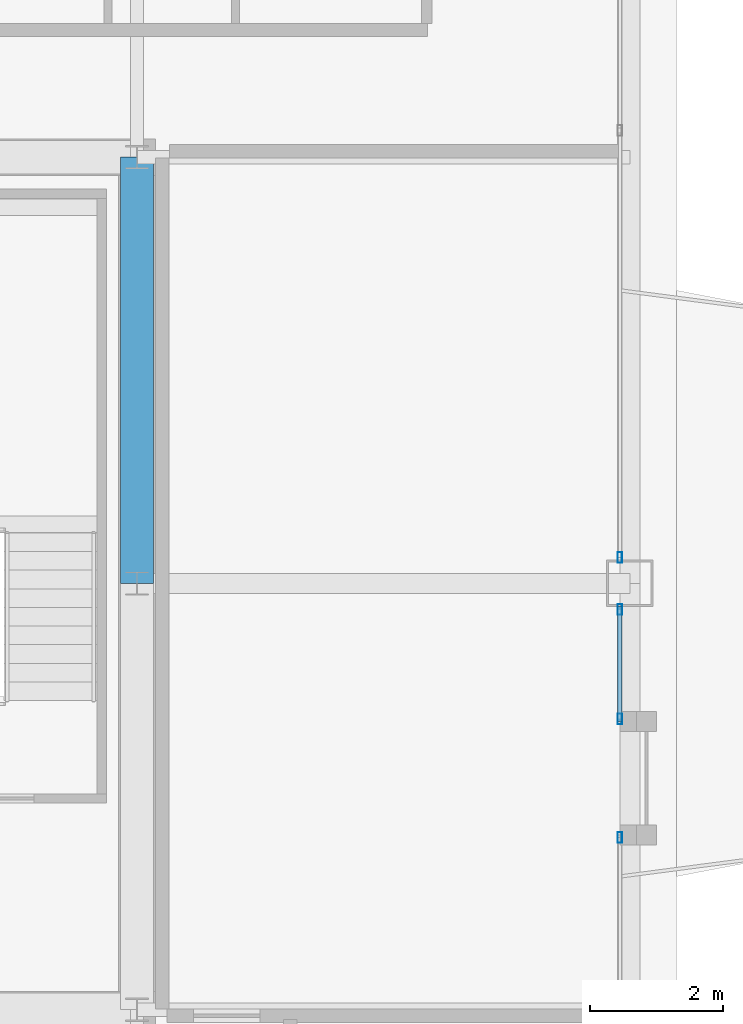
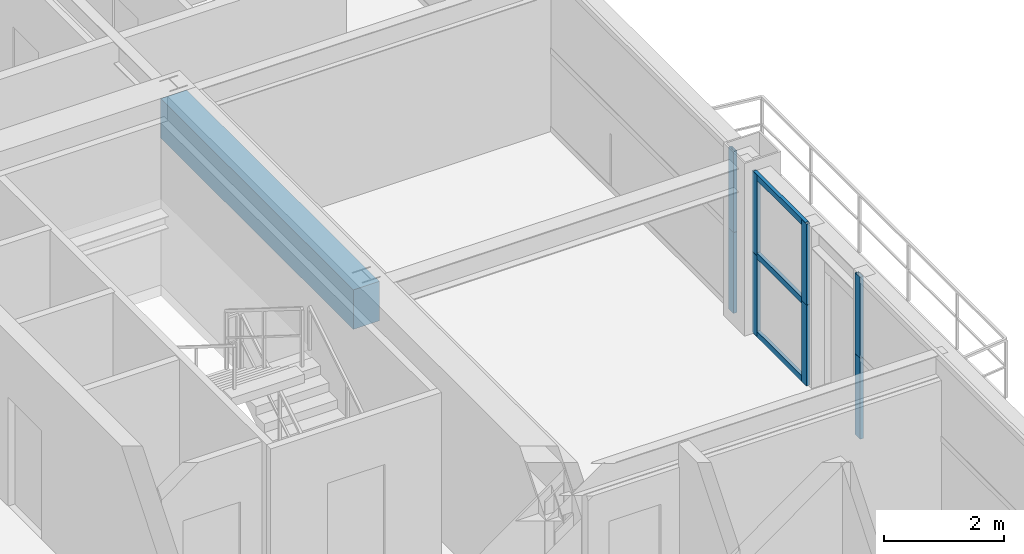
# One storey, part 19 of 37: 11 members, 1 beam, 3 elements without a shape of their own.
"""IFC4 building model written with IfcOpenShell, lengths in metres."""

from ifc_helpers import new_model, si_unit, direction, frame, origin, origin_2d, place, context, subcontext, project, spatial, rectangle, hollow_rectangle, extrude, source, transform, mapped, material, layer, layer_set, material_profile, profile_set, type_object, element, aggregate, save


model = new_model("IFC4")

# Units and contexts
model_context = context("Model", 3, precision=1e-05, world=origin(), true_north=direction((0.0, 1.0)))
body_context = subcontext(model_context, "Body", "Model", "MODEL_VIEW")
ifc_project = project(units=[si_unit("LENGTHUNIT", "METRE"), si_unit("AREAUNIT", "SQUARE_METRE"), si_unit("VOLUMEUNIT", "CUBIC_METRE"), si_unit("PLANEANGLEUNIT", "RADIAN"), si_unit("MASSUNIT", "GRAM", prefix="KILO"), si_unit("THERMODYNAMICTEMPERATUREUNIT", "KELVIN"), si_unit("POWERUNIT", "WATT")], contexts=[model_context])

# Site, building, storey
site_placement = place(None, origin())
site = spatial("IfcSite", under=ifc_project, at=site_placement, CompositionType="ELEMENT")
building_placement = place(site_placement, origin())
building = spatial("IfcBuilding", under=site, at=building_placement, Name="Yuzanri Waterfront Tower", CompositionType="ELEMENT")
storey_placement = place(building_placement, frame((0.0, 0.0, 278.60009765625)))
storey = spatial("IfcBuildingStorey", under=building, at=storey_placement, Name="L74", CompositionType="ELEMENT", Elevation=278.60009765625)

# Beam
ifc_material_1 = material(Name="Concrete C50", Category="concrete")
ifc_material_profile_1 = material_profile(ifc_material_1, rectangle(XDim=0.5, YDim=0.800048828125, at=origin_2d()), Name="RC 500x800")
ifc_profile_set_1 = profile_set([ifc_material_profile_1], Name="Concrete C50")
beam_type = type_object("IfcBeamType", Name="Core Coupling Lintel Concrete C50 500x800", PredefinedType="LINTEL", material=ifc_profile_set_1)
shared_shape_1 = source(origin(), body_context, "Body", "SweptSolid", [
    extrude(rectangle(XDim=0.5, YDim=0.800048828125, at=origin_2d()), origin(), (0.0, 0.0, 1.0), 6.39990234375),
])
beam_placement = place(storey_placement, frame((50.199951171875, 25.800048828125, 2.8798828125), z_axis=(0.0, 1.0, 0.0), x_axis=(-1.0, 0.0, 0.0)))
element("IfcBeam", 1, at=beam_placement, inside=storey, type_object=beam_type, Name="L74 Core Tie Beam CE2", PredefinedType="LINTEL", context=body_context, shape_type="MappedRepresentation", body=[
    mapped(shared_shape_1, transform((0.0, 0.0, 0.0), scale=1.0)),
])

# Curtain wall, members
ifc_material_2 = material(Name="Anodized Architectural Bronze", Category="metal")
ifc_layer = layer(ifc_material_2, 0.159912109375)
ifc_layer_set = layer_set([ifc_layer], Name="Anodized Architectural Bronze")
curtain_wall_type = type_object("IfcCurtainWallType", Name="Anodized Bronze Mid-Rise Residential Acoustic Unitized Curtain Wall 7200", PredefinedType="NOTDEFINED", material=ifc_layer_set)
curtain_wall_1_placement = place(storey_placement, origin())
curtain_wall_1 = element("IfcCurtainWall", 2, at=curtain_wall_1_placement, inside=storey, type_object=curtain_wall_type, Name="L74 Curtain Wall CW-L74-EL1", PredefinedType="NOTDEFINED")
ifc_material_3 = material(Name="Anodized Architectural Bronze", Category="metal")
ifc_material_profile_2 = material_profile(ifc_material_3, hollow_rectangle(XDim=0.06494140625, YDim=0.159912109375, WallThickness=0.00341796875, at=origin_2d()), Name="CWM 65x160")
ifc_profile_set_2 = profile_set([ifc_material_profile_2], Name="Anodized Architectural Bronze")
member_type_1 = type_object("IfcMemberType", Name="Anodized Bronze Upper-Zone Curtain-Wall Mullion 65x160", PredefinedType="MULLION", material=ifc_profile_set_2)
shared_shape_2 = source(origin(), body_context, "Body", "SweptSolid", [
    extrude(hollow_rectangle(XDim=0.06494140625, YDim=0.159912109375, WallThickness=0.00341796875, at=origin_2d()), origin(), (0.0, 0.0, 1.0), 1.637939453125),
])
member_1_placement = place(storey_placement, frame((57.449951171875, 21.985107421875, 0.0), z_axis=(0.0, 0.0, 1.0), x_axis=(1.0, 0.0, 0.0)))
member_1 = element("IfcMember", 3, at=member_1_placement, type_object=member_type_1, Name="CW-L74-EL1 Lower Mullion 01", PredefinedType="MULLION", context=body_context, shape_type="MappedRepresentation", body=[
    mapped(shared_shape_2, transform((0.0, 0.0, 0.0), scale=1.0)),
])
member_2_placement = place(storey_placement, frame((57.449951171875, 21.985107421875, 1.641845703125), z_axis=(0.0, 0.0, 1.0), x_axis=(1.0, 0.0, 0.0)))
member_2 = element("IfcMember", 4, at=member_2_placement, type_object=member_type_1, Name="CW-L74-EL1 Upper Mullion 01", PredefinedType="MULLION", context=body_context, shape_type="MappedRepresentation", body=[
    mapped(shared_shape_2, transform((0.0, 0.0, 0.0), scale=1.0)),
])
aggregate(curtain_wall_1, [member_1, member_2])

curtain_wall_2_placement = place(storey_placement, origin())
curtain_wall_2 = element("IfcCurtainWall", 5, at=curtain_wall_2_placement, inside=storey, type_object=curtain_wall_type, Name="L74 Curtain Wall CW-L74-EL2", PredefinedType="NOTDEFINED")
member_3_placement = place(storey_placement, frame((57.449951171875, 23.764892578125, 0.0), z_axis=(0.0, 0.0, 1.0), x_axis=(1.0, 0.0, 0.0)))
member_3 = element("IfcMember", 6, at=member_3_placement, type_object=member_type_1, Name="CW-L74-EL2 Lower Mullion 00", PredefinedType="MULLION", context=body_context, shape_type="MappedRepresentation", body=[
    mapped(shared_shape_2, transform((0.0, 0.0, 0.0), scale=1.0)),
])
member_4_placement = place(storey_placement, frame((57.449951171875, 23.764892578125, 1.641845703125), z_axis=(0.0, 0.0, 1.0), x_axis=(1.0, 0.0, 0.0)))
member_4 = element("IfcMember", 7, at=member_4_placement, type_object=member_type_1, Name="CW-L74-EL2 Upper Mullion 00", PredefinedType="MULLION", context=body_context, shape_type="MappedRepresentation", body=[
    mapped(shared_shape_2, transform((0.0, 0.0, 0.0), scale=1.0)),
])
member_5_placement = place(storey_placement, frame((57.449951171875, 25.409912109375, 0.0), z_axis=(0.0, 0.0, 1.0), x_axis=(1.0, 0.0, 0.0)))
member_5 = element("IfcMember", 8, at=member_5_placement, type_object=member_type_1, Name="CW-L74-EL2 Lower Mullion 01", PredefinedType="MULLION", context=body_context, shape_type="MappedRepresentation", body=[
    mapped(shared_shape_2, transform((0.0, 0.0, 0.0), scale=1.0)),
])
member_6_placement = place(storey_placement, frame((57.449951171875, 25.409912109375, 1.641845703125), z_axis=(0.0, 0.0, 1.0), x_axis=(1.0, 0.0, 0.0)))
member_6 = element("IfcMember", 9, at=member_6_placement, type_object=member_type_1, Name="CW-L74-EL2 Upper Mullion 01", PredefinedType="MULLION", context=body_context, shape_type="MappedRepresentation", body=[
    mapped(shared_shape_2, transform((0.0, 0.0, 0.0), scale=1.0)),
])

curtain_wall_3_placement = place(storey_placement, origin())
curtain_wall_3 = element("IfcCurtainWall", 10, at=curtain_wall_3_placement, inside=storey, type_object=curtain_wall_type, Name="L74 Curtain Wall CW-L74-ER", PredefinedType="NOTDEFINED")
member_7_placement = place(storey_placement, frame((57.449951171875, 26.18994140625, 0.0), z_axis=(0.0, 0.0, 1.0), x_axis=(1.0, 0.0, 0.0)))
member_7 = element("IfcMember", 11, at=member_7_placement, type_object=member_type_1, Name="CW-L74-ER Lower Mullion 00", PredefinedType="MULLION", context=body_context, shape_type="MappedRepresentation", body=[
    mapped(shared_shape_2, transform((0.0, 0.0, 0.0), scale=1.0)),
])
member_8_placement = place(storey_placement, frame((57.449951171875, 26.18994140625, 1.641845703125), z_axis=(0.0, 0.0, 1.0), x_axis=(1.0, 0.0, 0.0)))
member_8 = element("IfcMember", 12, at=member_8_placement, type_object=member_type_1, Name="CW-L74-ER Upper Mullion 00", PredefinedType="MULLION", context=body_context, shape_type="MappedRepresentation", body=[
    mapped(shared_shape_2, transform((0.0, 0.0, 0.0), scale=1.0)),
])
aggregate(curtain_wall_3, [member_7, member_8])

# Member
ifc_material_4 = material(Name="Anodized Architectural Bronze", Category="metal")
ifc_material_profile_3 = material_profile(ifc_material_4, hollow_rectangle(XDim=0.06494140625, YDim=0.1201171875, WallThickness=0.00341796875, at=origin_2d()), Name="CWT 65x120")
ifc_profile_set_3 = profile_set([ifc_material_profile_3], Name="Anodized Architectural Bronze")
member_type_2 = type_object("IfcMemberType", Name="Anodized Bronze Secondary Curtain-Wall Transom 65x120", PredefinedType="USERDEFINED", material=ifc_profile_set_3)
shared_shape_3 = source(origin(), body_context, "Body", "SweptSolid", [
    extrude(hollow_rectangle(XDim=0.06494140625, YDim=0.1201171875, WallThickness=0.00341796875, at=origin_2d()), origin(), (0.0, 0.0, 1.0), 1.724853515625),
])
member_9_placement = place(storey_placement, frame((57.449951171875, 23.72509765625, 0.0498046875), z_axis=(0.0, 1.0, 0.0), x_axis=(-1.0, 0.0, 0.0)))
member_9 = element("IfcMember", 13, at=member_9_placement, type_object=member_type_2, Name="CW-L74-EL2 Transom 1", ObjectType="TRANSOM", PredefinedType="USERDEFINED", context=body_context, shape_type="MappedRepresentation", body=[
    mapped(shared_shape_3, transform((0.0, 0.0, 0.0), scale=1.0)),
])

member_10_placement = place(storey_placement, frame((57.449951171875, 23.72509765625, 1.639892578125), z_axis=(0.0, 1.0, 0.0), x_axis=(-1.0, 0.0, 0.0)))
member_10 = element("IfcMember", 14, at=member_10_placement, type_object=member_type_2, Name="CW-L74-EL2 Transom 2", ObjectType="TRANSOM", PredefinedType="USERDEFINED", context=body_context, shape_type="MappedRepresentation", body=[
    mapped(shared_shape_3, transform((0.0, 0.0, 0.0), scale=1.0)),
])

member_11_placement = place(storey_placement, frame((57.449951171875, 23.72509765625, 3.22998046875), z_axis=(0.0, 1.0, 0.0), x_axis=(-1.0, 0.0, 0.0)))
member_11 = element("IfcMember", 15, at=member_11_placement, type_object=member_type_2, Name="CW-L74-EL2 Transom 3", ObjectType="TRANSOM", PredefinedType="USERDEFINED", context=body_context, shape_type="MappedRepresentation", body=[
    mapped(shared_shape_3, transform((0.0, 0.0, 0.0), scale=1.0)),
])

aggregate(curtain_wall_2, [member_3, member_4, member_5, member_6, member_9, member_10, member_11])

save(model, "model.ifc")
